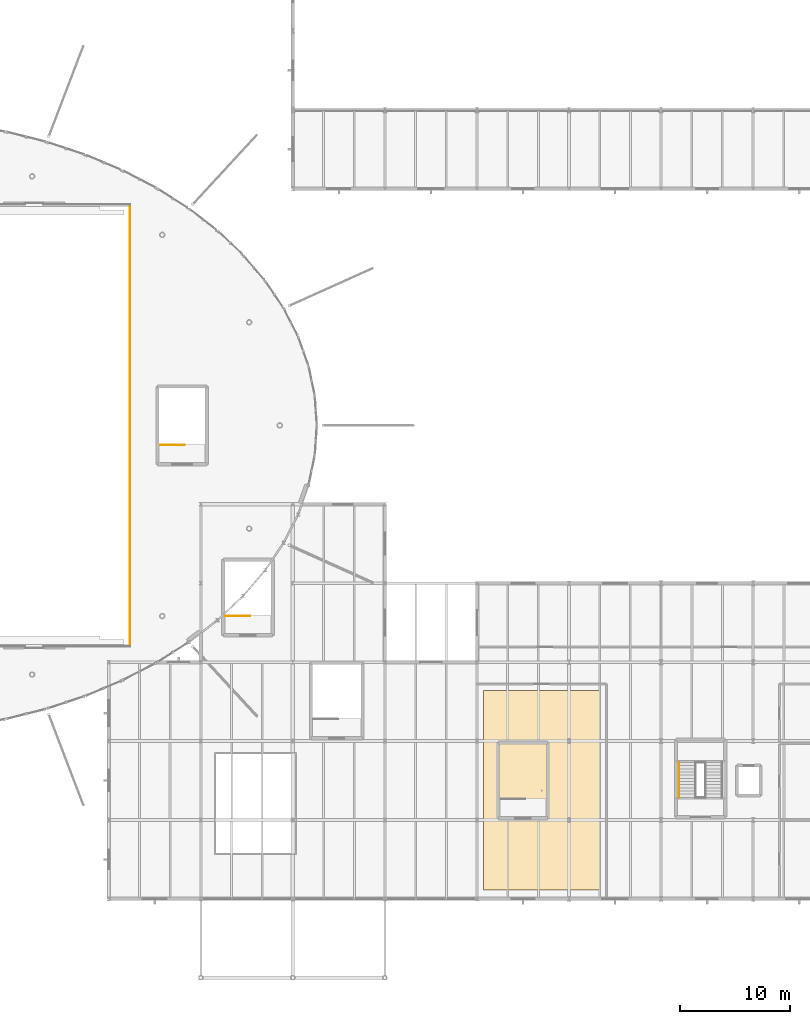
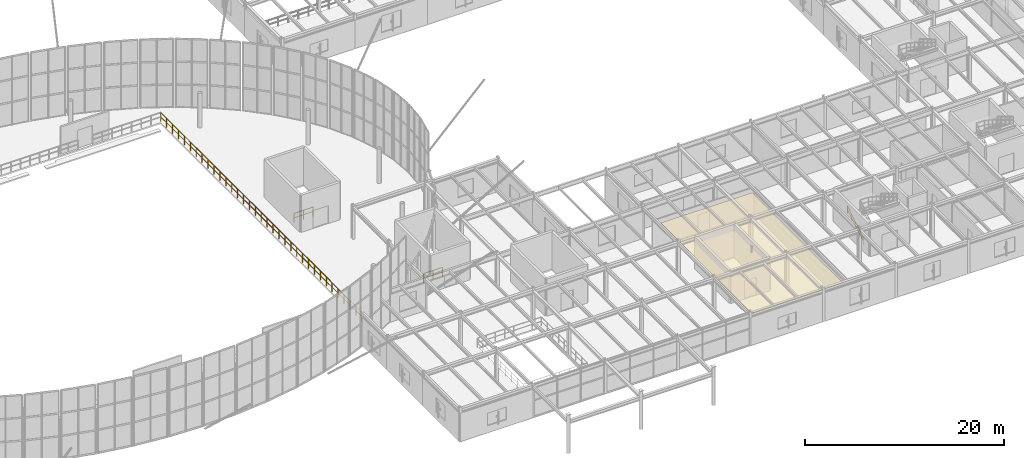
# One storey, part 85 of 109: 4 railings, 1 covering.
"""IFC4 building model written with IfcOpenShell, lengths in metres."""

from ifc_helpers import new_model, si_unit, derived_unit, direction, frame, origin, origin_2d, place, context, subcontext, project, spatial, polyline, circle, outline, extrude, material, layer, layer_set, type_object, element, save


model = new_model("IFC4")

# Units and contexts
model_context = context("Model", 3, precision=1e-05, world=origin(), true_north=direction((0.0, 1.0)))
body_context = subcontext(model_context, "Body", "Model", "MODEL_VIEW")
ifc_project = project(units=[si_unit("LENGTHUNIT", "METRE"), si_unit("AREAUNIT", "SQUARE_METRE"), si_unit("VOLUMEUNIT", "CUBIC_METRE"), si_unit("PLANEANGLEUNIT", "RADIAN"), si_unit("MASSUNIT", "GRAM", prefix="KILO"), derived_unit("THERMALTRANSMITTANCEUNIT", [(si_unit("MASSUNIT", "GRAM", prefix="KILO"), 1), (si_unit("TIMEUNIT", "SECOND"), -3), (si_unit("THERMODYNAMICTEMPERATUREUNIT", "KELVIN"), -1)])], contexts=[model_context])

# Site, building, storey
site_placement = place(None, origin())
site = spatial("IfcSite", under=ifc_project, at=site_placement, CompositionType="ELEMENT")
building_placement = place(site_placement, origin())
building = spatial("IfcBuilding", under=site, at=building_placement, Name="Kharveza Railside Sports Centre", CompositionType="ELEMENT")
storey_placement = place(building_placement, frame((0.0, 0.0, 4.5)))
storey = spatial("IfcBuildingStorey", under=building, at=storey_placement, Name="L01", CompositionType="ELEMENT", Elevation=4.5)

# Covering
ifc_material_1 = material(Name="Acoustic mineral-fibre ceiling tile")
ifc_layer = layer(ifc_material_1, 0.0400390625, Name="Acoustic mineral-fibre ceiling tile")
ifc_layer_set = layer_set([ifc_layer], Name="Acoustic mineral-fibre ceiling tile")
covering_type = type_object("IfcCoveringType", Name="CV-CL01", PredefinedType="CEILING", material=ifc_layer_set)
covering_placement = place(storey_placement, frame((0.0, 0.0, 3.14990234375)))
element("IfcCovering", 1, at=covering_placement, inside=storey, type_object=covering_type, Name="COV-CL-CLN1", PredefinedType="CEILING", context=body_context, shape_type="SweptSolid", body=[
    extrude(outline(polyline([(120.39990234375, 8.0), (109.800048828125, 8.0), (109.800048828125, 26.199951171875), (120.39990234375, 26.199951171875), (120.39990234375, 8.0)])), origin(), (0.0, 0.0, 1.0), 0.0400390625),
])

# Railings
ifc_material_2 = material(Name="Steel S275JR", Category="steel")
railing_type_1 = type_object("IfcRailingType", Name="RL-GD110", PredefinedType="GUARDRAIL", material=ifc_material_2)
for number, where, name in (
    (2, (80.300048828125, 48.60009765625, 0.0), "RL-STTOP-ST8-L01"),
    (3, (86.300048828125, 33.0, 0.0), "RL-STTOP-ST9-L01"),
):
    element("IfcRailing", number, at=place(storey_placement, frame(where)), inside=storey, type_object=railing_type_1, Name=name, PredefinedType="GUARDRAIL", context=body_context, shape_type="SweptSolid", body=[
        extrude(circle(Radius=0.02392578125, at=origin_2d()), frame((0.0, 0.0, 1.09619140625), z_axis=(1.0, 0.0, 0.0), x_axis=(0.0, 1.0, 0.0)), (0.0, 0.0, 1.0), 2.199951171875),
        extrude(circle(Radius=0.01611328125, at=origin_2d()), frame((0.0, 0.0, 0.56005859375), z_axis=(1.0, 0.0, 0.0), x_axis=(0.0, 1.0, 0.0)), (0.0, 0.0, 1.0), 2.199951171875),
        extrude(circle(Radius=0.02099609375, at=origin_2d()), origin(), (0.0, 0.0, 1.0), 1.072021484375),
        extrude(circle(Radius=0.02099609375, at=origin_2d()), frame((1.10009765625, 0.0, 0.0)), (0.0, 0.0, 1.0), 1.072021484375),
        extrude(circle(Radius=0.02099609375, at=origin_2d()), frame((2.199951171875, 0.0, 0.0)), (0.0, 0.0, 1.0), 1.072021484375),
    ])
railing_1_placement = place(storey_placement, frame((77.550048828125, 30.25, 0.0)))
element("IfcRailing", 4, at=railing_1_placement, inside=storey, type_object=railing_type_1, Name="RL-BOWL-EW-E", PredefinedType="GUARDRAIL", context=body_context, shape_type="SweptSolid", body=[
    extrude(circle(Radius=0.02392578125, at=origin_2d()), frame((0.0, 0.0, 1.09619140625), z_axis=(0.0, 1.0, 0.0), x_axis=(-1.0, 0.0, 0.0)), (0.0, 0.0, 1.0), 40.300048828125),
    extrude(circle(Radius=0.01611328125, at=origin_2d()), frame((0.0, 0.0, 0.56005859375), z_axis=(0.0, 1.0, 0.0), x_axis=(-1.0, 0.0, 0.0)), (0.0, 0.0, 1.0), 40.300048828125),
    extrude(circle(Radius=0.02099609375, at=origin_2d()), origin(), (0.0, 0.0, 1.0), 1.072021484375),
    extrude(circle(Radius=0.02099609375, at=origin_2d()), frame((0.0, 1.185302734375, 0.0)), (0.0, 0.0, 1.0), 1.072021484375),
    extrude(circle(Radius=0.02099609375, at=origin_2d()), frame((0.0, 2.37060546875, 0.0)), (0.0, 0.0, 1.0), 1.072021484375),
    extrude(circle(Radius=0.02099609375, at=origin_2d()), frame((0.0, 3.555908203125, 0.0)), (0.0, 0.0, 1.0), 1.072021484375),
    extrude(circle(Radius=0.02099609375, at=origin_2d()), frame((0.0, 4.7412109375, 0.0)), (0.0, 0.0, 1.0), 1.072021484375),
    extrude(circle(Radius=0.02099609375, at=origin_2d()), frame((0.0, 5.926513671875, 0.0)), (0.0, 0.0, 1.0), 1.072021484375),
    extrude(circle(Radius=0.02099609375, at=origin_2d()), frame((0.0, 7.11181640625, 0.0)), (0.0, 0.0, 1.0), 1.072021484375),
    extrude(circle(Radius=0.02099609375, at=origin_2d()), frame((0.0, 8.297119140625, 0.0)), (0.0, 0.0, 1.0), 1.072021484375),
    extrude(circle(Radius=0.02099609375, at=origin_2d()), frame((0.0, 9.482421875, 0.0)), (0.0, 0.0, 1.0), 1.072021484375),
    extrude(circle(Radius=0.02099609375, at=origin_2d()), frame((0.0, 10.667724609375, 0.0)), (0.0, 0.0, 1.0), 1.072021484375),
    extrude(circle(Radius=0.02099609375, at=origin_2d()), frame((0.0, 11.85302734375, 0.0)), (0.0, 0.0, 1.0), 1.072021484375),
    extrude(circle(Radius=0.02099609375, at=origin_2d()), frame((0.0, 13.038330078125, 0.0)), (0.0, 0.0, 1.0), 1.072021484375),
    extrude(circle(Radius=0.02099609375, at=origin_2d()), frame((0.0, 14.2236328125, 0.0)), (0.0, 0.0, 1.0), 1.072021484375),
    extrude(circle(Radius=0.02099609375, at=origin_2d()), frame((0.0, 15.408935546875, 0.0)), (0.0, 0.0, 1.0), 1.072021484375),
    extrude(circle(Radius=0.02099609375, at=origin_2d()), frame((0.0, 16.59423828125, 0.0)), (0.0, 0.0, 1.0), 1.072021484375),
    extrude(circle(Radius=0.02099609375, at=origin_2d()), frame((0.0, 17.779541015625, 0.0)), (0.0, 0.0, 1.0), 1.072021484375),
    extrude(circle(Radius=0.02099609375, at=origin_2d()), frame((0.0, 18.96484375, 0.0)), (0.0, 0.0, 1.0), 1.072021484375),
    extrude(circle(Radius=0.02099609375, at=origin_2d()), frame((0.0, 20.14990234375, 0.0)), (0.0, 0.0, 1.0), 1.072021484375),
    extrude(circle(Radius=0.02099609375, at=origin_2d()), frame((0.0, 21.335205078125, 0.0)), (0.0, 0.0, 1.0), 1.072021484375),
    extrude(circle(Radius=0.02099609375, at=origin_2d()), frame((0.0, 22.5205078125, 0.0)), (0.0, 0.0, 1.0), 1.072021484375),
    extrude(circle(Radius=0.02099609375, at=origin_2d()), frame((0.0, 23.705810546875, 0.0)), (0.0, 0.0, 1.0), 1.072021484375),
    extrude(circle(Radius=0.02099609375, at=origin_2d()), frame((0.0, 24.89111328125, 0.0)), (0.0, 0.0, 1.0), 1.072021484375),
    extrude(circle(Radius=0.02099609375, at=origin_2d()), frame((0.0, 26.076416015625, 0.0)), (0.0, 0.0, 1.0), 1.072021484375),
    extrude(circle(Radius=0.02099609375, at=origin_2d()), frame((0.0, 27.26171875, 0.0)), (0.0, 0.0, 1.0), 1.072021484375),
    extrude(circle(Radius=0.02099609375, at=origin_2d()), frame((0.0, 28.447021484375, 0.0)), (0.0, 0.0, 1.0), 1.072021484375),
    extrude(circle(Radius=0.02099609375, at=origin_2d()), frame((0.0, 29.63232421875, 0.0)), (0.0, 0.0, 1.0), 1.072021484375),
    extrude(circle(Radius=0.02099609375, at=origin_2d()), frame((0.0, 30.817626953125, 0.0)), (0.0, 0.0, 1.0), 1.072021484375),
    extrude(circle(Radius=0.02099609375, at=origin_2d()), frame((0.0, 32.0029296875, 0.0)), (0.0, 0.0, 1.0), 1.072021484375),
    extrude(circle(Radius=0.02099609375, at=origin_2d()), frame((0.0, 33.188232421875, 0.0)), (0.0, 0.0, 1.0), 1.072021484375),
    extrude(circle(Radius=0.02099609375, at=origin_2d()), frame((0.0, 34.37353515625, 0.0)), (0.0, 0.0, 1.0), 1.072021484375),
    extrude(circle(Radius=0.02099609375, at=origin_2d()), frame((0.0, 35.558837890625, 0.0)), (0.0, 0.0, 1.0), 1.072021484375),
    extrude(circle(Radius=0.02099609375, at=origin_2d()), frame((0.0, 36.744140625, 0.0)), (0.0, 0.0, 1.0), 1.072021484375),
    extrude(circle(Radius=0.02099609375, at=origin_2d()), frame((0.0, 37.929443359375, 0.0)), (0.0, 0.0, 1.0), 1.072021484375),
    extrude(circle(Radius=0.02099609375, at=origin_2d()), frame((0.0, 39.11474609375, 0.0)), (0.0, 0.0, 1.0), 1.072021484375),
    extrude(circle(Radius=0.02099609375, at=origin_2d()), frame((0.0, 40.300048828125, 0.0)), (0.0, 0.0, 1.0), 1.072021484375),
])
railing_type_2 = type_object("IfcRailingType", Name="RL-HR092", PredefinedType="HANDRAIL", material=ifc_material_2)
railing_2_placement = place(storey_placement, frame((127.639892578125, 16.4599609375, 0.175048828125)))
element("IfcRailing", 5, at=railing_2_placement, inside=storey, type_object=railing_type_2, Name="STR-ST3-L01-HR1", PredefinedType="HANDRAIL", context=body_context, shape_type="SweptSolid", body=[
    extrude(circle(Radius=0.02392578125, at=origin_2d()), frame((0.0, 0.0, 0.89599609375), z_axis=(0.0, 0.856177665481, 0.516681531633), x_axis=(-1.0, 0.0, 0.0)), (0.0, 0.0, 1.0), 3.725830078125),
    extrude(circle(Radius=0.01611328125, at=origin_2d()), frame((0.0, 0.0, 0.4599609375), z_axis=(0.0, 0.856177665481, 0.516681531633), x_axis=(-1.0, 0.0, 0.0)), (0.0, 0.0, 1.0), 3.725830078125),
    extrude(circle(Radius=0.02099609375, at=origin_2d()), origin(), (0.0, 0.0, 1.0), 0.871826171875),
    extrude(circle(Radius=0.02099609375, at=origin_2d()), frame((0.0, 0.79736328125, 0.481201171875)), (0.0, 0.0, 1.0), 0.871826171875),
    extrude(circle(Radius=0.02099609375, at=origin_2d()), frame((0.0, 1.594970703125, 0.96240234375)), (0.0, 0.0, 1.0), 0.871826171875),
    extrude(circle(Radius=0.02099609375, at=origin_2d()), frame((0.0, 2.392578125, 1.44384765625)), (0.0, 0.0, 1.0), 0.871826171875),
    extrude(circle(Radius=0.02099609375, at=origin_2d()), frame((0.0, 3.18994140625, 1.925048828125)), (0.0, 0.0, 1.0), 0.871826171875),
])

save(model, "model.ifc")
